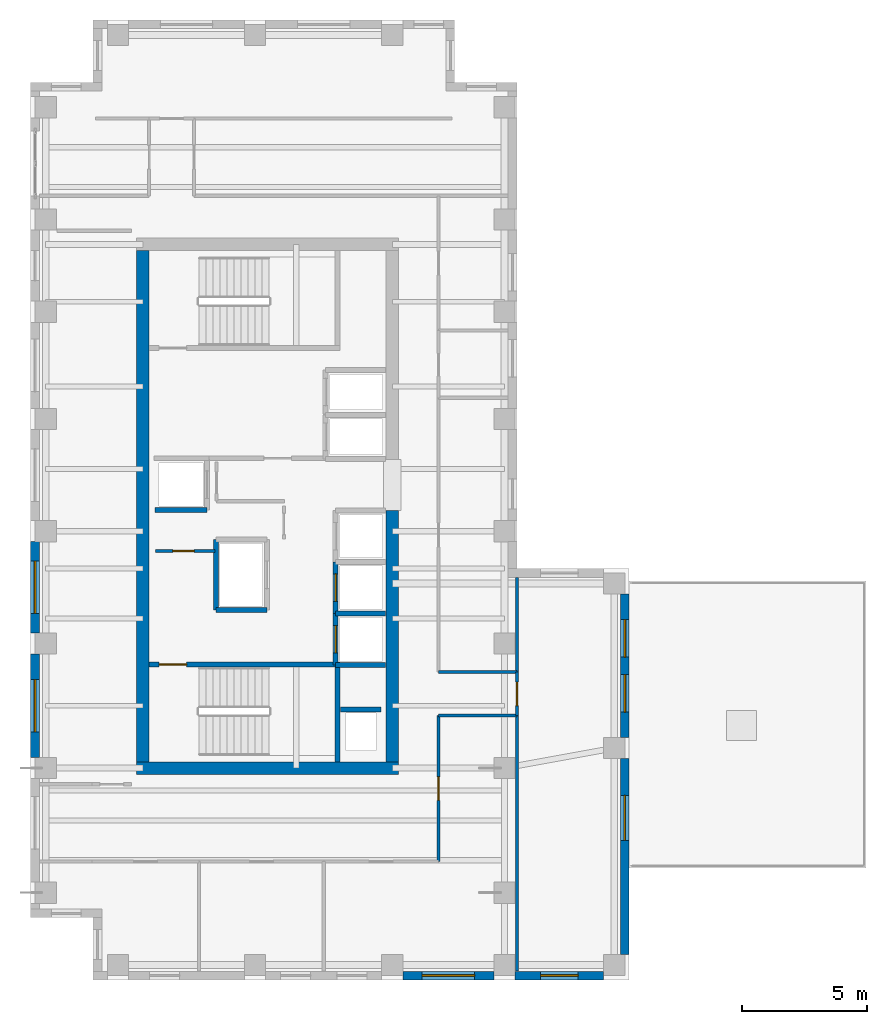
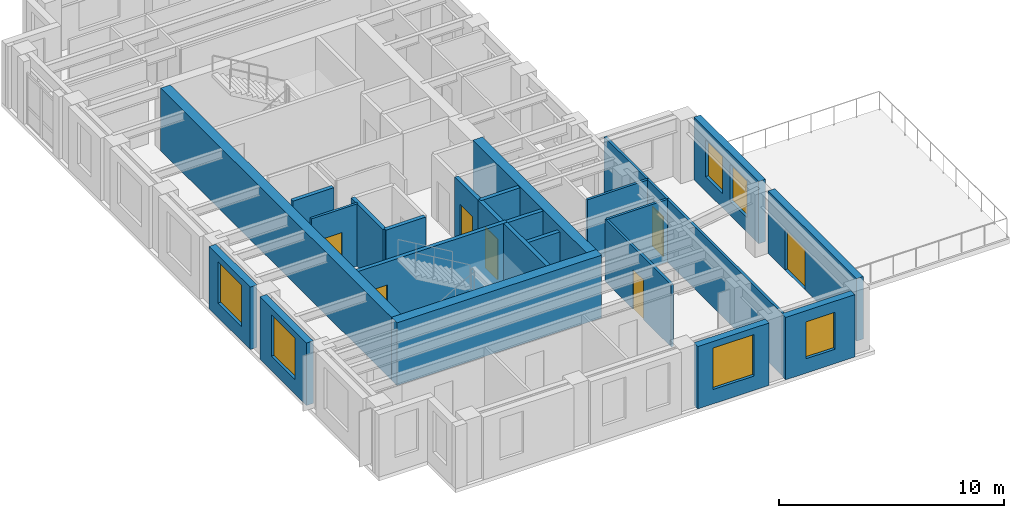
# One storey, part 6 of 11: 26 walls, 7 doors, 6 windows, 13 openings.
"""IFC4 building model written with IfcOpenShell, lengths in metres."""

from ifc_helpers import new_model, si_unit, direction, frame, frame_2d, origin, place, context, subcontext, project, spatial, rectangle, extrude, source, transform, mapped, material, layer, layer_set, type_object, element, fill, save


model = new_model("IFC4")

# Units and contexts
model_context = context("Model", 3, precision=1e-05, world=origin(), true_north=direction((0.0, 1.0)))
body_context = subcontext(model_context, "Body", "Model", "MODEL_VIEW")
ifc_project = project(units=[si_unit("LENGTHUNIT", "METRE"), si_unit("AREAUNIT", "SQUARE_METRE"), si_unit("VOLUMEUNIT", "CUBIC_METRE"), si_unit("PLANEANGLEUNIT", "RADIAN"), si_unit("MASSUNIT", "GRAM", prefix="KILO")], contexts=[model_context])

# Site, building, storey
site_placement = place(None, origin())
site = spatial("IfcSite", under=ifc_project, at=site_placement, CompositionType="ELEMENT")
building_placement = place(site_placement, origin())
building = spatial("IfcBuilding", under=site, at=building_placement, Name="Kharzan Plaza Tower", CompositionType="ELEMENT")
storey_placement = place(building_placement, frame((0.0, 0.0, 262.800048828125)))
storey = spatial("IfcBuildingStorey", under=building, at=storey_placement, Name="L71", CompositionType="ELEMENT", Elevation=262.800048828125)

# Wall, opening, window
ifc_material_1 = material(Name="Concrete C40/50", Category="concrete")
ifc_layer_1 = layer(ifc_material_1, 0.35009765625)
ifc_layer_set_1 = layer_set([ifc_layer_1], Name="Concrete C40/50")
wall_type_1 = type_object("IfcWallType", Name="WL-EXT-MAS-Z4", PredefinedType="SOLIDWALL", material=ifc_layer_set_1)
wall_1_placement = place(storey_placement, frame((0.175048828125, 17.576904296875, 0.0), z_axis=(0.0, 0.0, 1.0), x_axis=(0.0, -1.0, 0.0)))
wall_1 = element("IfcWall", 1, at=wall_1_placement, inside=storey, type_object=wall_type_1, Name="L71 Masonry-Frame Exterior Wall 14", PredefinedType="SOLIDWALL", context=body_context, shape_type="SweptSolid", body=[
    extrude(rectangle(XDim=3.65380859375, YDim=0.35009765625, at=frame_2d((1.826904296875, 0.0))), origin(), (0.0, 0.0, 1.0), 3.385009765625),
])
opening_1_placement = place(wall_1_placement, frame((0.777099609375, 0.0, 0.780029296875)))
opening_1 = element("IfcOpeningElement", 2, at=opening_1_placement, cuts=wall_1, Name="Opening W6", PredefinedType="OPENING", context=body_context, shape_type="SweptSolid", body=[
    extrude(rectangle(XDim=2.10009765625, YDim=2.25, at=frame_2d((1.050048828125, 1.125))), frame((0.0, 0.18505859375, 0.0), z_axis=(0.0, -1.0, 0.0), x_axis=(1.0, 0.0, 0.0)), (0.0, 0.0, 1.0), 0.3701171875),
])
ifc_material_2 = material(Name="Low-E Double Glazing", Category="glass")
window_type_1 = type_object("IfcWindowType", Name="WN-EXEC-2100x2250", PartitioningType="SINGLE_PANEL", PredefinedType="WINDOW", material=ifc_material_2)
shared_shape_1 = source(origin(), body_context, "Body", "SweptSolid", [
    extrude(rectangle(XDim=2.10009765625, YDim=2.25, at=frame_2d((1.050048828125, 1.125))), frame((0.0, 0.030029296875, 0.0), z_axis=(0.0, -1.0, 0.0), x_axis=(1.0, 0.0, 0.0)), (0.0, 0.0, 1.0), 0.06005859375),
])
window_1_placement = place(opening_1_placement, origin())
window_1 = element("IfcWindow", 3, at=window_1_placement, inside=storey, type_object=window_type_1, Name="L71 Recessed Solar-Control Window 14-1", OverallHeight=2.25, OverallWidth=2.10009765625, PartitioningType="SINGLE_PANEL", PredefinedType="WINDOW", context=body_context, shape_type="MappedRepresentation", body=[
    mapped(shared_shape_1, transform((0.0, 0.0, 0.0), x_axis=(1.0, 0.0, 0.0), y_axis=(0.0, 1.0, 0.0), z_axis=(0.0, 0.0, 1.0))),
])
fill(opening_1, window_1)

wall_2_placement = place(storey_placement, frame((0.175048828125, 13.076904296875, 0.0), z_axis=(0.0, 0.0, 1.0), x_axis=(0.0, -1.0, 0.0)))
wall_2 = element("IfcWall", 4, at=wall_2_placement, inside=storey, type_object=wall_type_1, Name="L71 Masonry-Frame Exterior Wall 15", PredefinedType="SOLIDWALL", context=body_context, shape_type="SweptSolid", body=[
    extrude(rectangle(XDim=4.15380859375, YDim=0.35009765625, at=frame_2d((2.076904296875, 0.0))), origin(), (0.0, 0.0, 1.0), 3.385009765625),
])
opening_2_placement = place(wall_2_placement, frame((1.027099609375, 0.0, 0.780029296875)))
opening_2 = element("IfcOpeningElement", 5, at=opening_2_placement, cuts=wall_2, Name="Opening W6", PredefinedType="OPENING", context=body_context, shape_type="SweptSolid", body=[
    extrude(rectangle(XDim=2.10009765625, YDim=2.25, at=frame_2d((1.050048828125, 1.125))), frame((0.0, 0.18505859375, 0.0), z_axis=(0.0, -1.0, 0.0), x_axis=(1.0, 0.0, 0.0)), (0.0, 0.0, 1.0), 0.3701171875),
])
window_2_placement = place(opening_2_placement, origin())
window_2 = element("IfcWindow", 6, at=window_2_placement, inside=storey, type_object=window_type_1, Name="L71 Recessed Solar-Control Window 15-1", OverallHeight=2.25, OverallWidth=2.10009765625, PartitioningType="SINGLE_PANEL", PredefinedType="WINDOW", context=body_context, shape_type="MappedRepresentation", body=[
    mapped(shared_shape_1, transform((0.0, 0.0, 0.0), x_axis=(1.0, 0.0, 0.0), y_axis=(0.0, 1.0, 0.0), z_axis=(0.0, 0.0, 1.0))),
])
fill(opening_2, window_2)

wall_3_placement = place(storey_placement, frame((14.923095703125, 0.175048828125, 0.0), z_axis=(0.0, 0.0, 1.0), x_axis=(1.0, 0.0, 0.0)))
wall_3 = element("IfcWall", 7, at=wall_3_placement, inside=storey, type_object=wall_type_1, Name="L71 Masonry-Frame Exterior Wall 23", PredefinedType="SOLIDWALL", context=body_context, shape_type="SweptSolid", body=[
    extrude(rectangle(XDim=3.65380859375, YDim=0.35009765625, at=frame_2d((1.826904296875, 0.0))), origin(), (0.0, 0.0, 1.0), 3.385009765625),
])
opening_3_placement = place(wall_3_placement, frame((0.777099609375, 0.0, 0.780029296875)))
opening_3 = element("IfcOpeningElement", 8, at=opening_3_placement, cuts=wall_3, Name="Opening W6", PredefinedType="OPENING", context=body_context, shape_type="SweptSolid", body=[
    extrude(rectangle(XDim=2.10009765625, YDim=2.25, at=frame_2d((1.050048828125, 1.125))), frame((0.0, 0.18505859375, 0.0), z_axis=(0.0, -1.0, 0.0), x_axis=(1.0, 0.0, 0.0)), (0.0, 0.0, 1.0), 0.3701171875),
])
window_3_placement = place(opening_3_placement, origin())
window_3 = element("IfcWindow", 9, at=window_3_placement, inside=storey, type_object=window_type_1, Name="L71 Recessed Solar-Control Window 23-1", OverallHeight=2.25, OverallWidth=2.10009765625, PartitioningType="SINGLE_PANEL", PredefinedType="WINDOW", context=body_context, shape_type="MappedRepresentation", body=[
    mapped(shared_shape_1, transform((0.0, 0.0, 0.0), x_axis=(1.0, 0.0, 0.0), y_axis=(0.0, 1.0, 0.0), z_axis=(0.0, 0.0, 1.0))),
])
fill(opening_3, window_3)

wall_4_placement = place(storey_placement, frame((19.423095703125, 0.175048828125, 0.0), z_axis=(0.0, 0.0, 1.0), x_axis=(1.0, 0.0, 0.0)))
wall_4 = element("IfcWall", 10, at=wall_4_placement, inside=storey, type_object=wall_type_1, Name="L71 Masonry-Frame Exterior Wall 24", PredefinedType="SOLIDWALL", context=body_context, shape_type="SweptSolid", body=[
    extrude(rectangle(XDim=3.553955078125, YDim=0.35009765625, at=frame_2d((1.77685546875, 0.0))), origin(), (0.0, 0.0, 1.0), 3.385009765625),
])
opening_4_placement = place(wall_4_placement, frame((1.030517578125, 0.0, 0.780029296875)))
opening_4 = element("IfcOpeningElement", 11, at=opening_4_placement, cuts=wall_4, Name="Opening W5", PredefinedType="OPENING", context=body_context, shape_type="SweptSolid", body=[
    extrude(rectangle(XDim=1.5, YDim=2.0, at=frame_2d((0.75, 1.0))), frame((0.0, 0.18505859375, 0.0), z_axis=(0.0, -1.0, 0.0), x_axis=(1.0, 0.0, 0.0)), (0.0, 0.0, 1.0), 0.3701171875),
])
window_type_2 = type_object("IfcWindowType", Name="WN-SLT-1500x2000", PartitioningType="SINGLE_PANEL", PredefinedType="WINDOW", material=ifc_material_2)
shared_shape_2 = source(origin(), body_context, "Body", "SweptSolid", [
    extrude(rectangle(XDim=1.5, YDim=2.0, at=frame_2d((0.75, 1.0))), frame((0.0, 0.030029296875, 0.0), z_axis=(0.0, -1.0, 0.0), x_axis=(1.0, 0.0, 0.0)), (0.0, 0.0, 1.0), 0.06005859375),
])
window_4_placement = place(opening_4_placement, origin())
window_4 = element("IfcWindow", 12, at=window_4_placement, inside=storey, type_object=window_type_2, Name="L71 Recessed Solar-Control Window 24-1", OverallHeight=2.0, OverallWidth=1.5, PartitioningType="SINGLE_PANEL", PredefinedType="WINDOW", context=body_context, shape_type="MappedRepresentation", body=[
    mapped(shared_shape_2, transform((0.0, 0.0, 0.0), x_axis=(1.0, 0.0, 0.0), y_axis=(0.0, 1.0, 0.0), z_axis=(0.0, 0.0, 1.0))),
])
fill(opening_4, window_4)

# Wall, opening, door
wall_5_placement = place(storey_placement, frame((23.824951171875, 1.02294921875, 0.0), z_axis=(0.0, 0.0, 1.0), x_axis=(0.0, 1.0, 0.0)))
wall_5 = element("IfcWall", 13, at=wall_5_placement, inside=storey, type_object=wall_type_1, Name="L71 Masonry-Frame Exterior Wall 25", PredefinedType="SOLIDWALL", context=body_context, shape_type="SweptSolid", body=[
    extrude(rectangle(XDim=7.85400390625, YDim=0.35009765625, at=frame_2d((3.927001953125, 0.0))), origin(), (0.0, 0.0, 1.0), 3.385009765625),
])
opening_5_placement = place(wall_5_placement, frame((4.576904296875, 0.0, 0.0)))
opening_5 = element("IfcOpeningElement", 14, at=opening_5_placement, cuts=wall_5, Name="Opening ED2", PredefinedType="OPENING", context=body_context, shape_type="SweptSolid", body=[
    extrude(rectangle(XDim=1.800048828125, YDim=2.199951171875, at=frame_2d((0.89990234375, 1.10009765625))), frame((0.0, 0.18505859375, 0.0), z_axis=(0.0, -1.0, 0.0), x_axis=(1.0, 0.0, 0.0)), (0.0, 0.0, 1.0), 0.3701171875),
])
ifc_material_3 = material(Name="Thermally Broken Anodized Bronze Aluminium", Category="aluminium")
door_type_1 = type_object("IfcDoorType", Name="DR-EXT-TERR-1800", OperationType="DOUBLE_DOOR_SINGLE_SWING", PredefinedType="DOOR", material=ifc_material_3)
shared_shape_3 = source(origin(), body_context, "Body", "SweptSolid", [
    extrude(rectangle(XDim=1.800048828125, YDim=2.199951171875, at=frame_2d((0.89990234375, 1.10009765625))), frame((0.0, 0.02490234375, 0.0), z_axis=(0.0, -1.0, 0.0), x_axis=(1.0, 0.0, 0.0)), (0.0, 0.0, 1.0), 0.050048828125),
])
door_1_placement = place(opening_5_placement, frame((1.800048828125, 0.0, 0.0), z_axis=(0.0, 0.0, 1.0), x_axis=(-1.0, 0.0, 0.0)))
door_1 = element("IfcDoor", 15, at=door_1_placement, inside=storey, type_object=door_type_1, Name="L71 Walkable Sky-Terrace Access Door", OperationType="DOUBLE_DOOR_SINGLE_SWING", OverallHeight=2.199951171875, OverallWidth=1.800048828125, PredefinedType="DOOR", context=body_context, shape_type="MappedRepresentation", body=[
    mapped(shared_shape_3, transform((0.0, 0.0, 0.0), x_axis=(1.0, 0.0, 0.0), y_axis=(0.0, 1.0, 0.0), z_axis=(0.0, 0.0, 1.0))),
])
fill(opening_5, door_1)

# Wall, openings, windows
wall_6_placement = place(storey_placement, frame((23.824951171875, 9.722900390625, 0.0), z_axis=(0.0, 0.0, 1.0), x_axis=(0.0, 1.0, 0.0)))
wall_6 = element("IfcWall", 16, at=wall_6_placement, inside=storey, type_object=wall_type_1, Name="L71 Masonry-Frame Exterior Wall 26", PredefinedType="SOLIDWALL", context=body_context, shape_type="SweptSolid", body=[
    extrude(rectangle(XDim=5.754150390625, YDim=0.35009765625, at=frame_2d((2.876953125, 0.0))), origin(), (0.0, 0.0, 1.0), 3.385009765625),
])
opening_6_placement = place(wall_6_placement, frame((1.024658203125, 0.0, 0.780029296875)))
opening_6 = element("IfcOpeningElement", 17, at=opening_6_placement, cuts=wall_6, Name="Opening W5", PredefinedType="OPENING", context=body_context, shape_type="SweptSolid", body=[
    extrude(rectangle(XDim=1.5, YDim=2.0, at=frame_2d((0.75, 1.0))), frame((0.0, 0.18505859375, 0.0), z_axis=(0.0, -1.0, 0.0), x_axis=(1.0, 0.0, 0.0)), (0.0, 0.0, 1.0), 0.3701171875),
])
opening_7_placement = place(wall_6_placement, frame((3.229248046875, 0.0, 0.780029296875)))
opening_7 = element("IfcOpeningElement", 18, at=opening_7_placement, cuts=wall_6, Name="Opening W5", PredefinedType="OPENING", context=body_context, shape_type="SweptSolid", body=[
    extrude(rectangle(XDim=1.5, YDim=2.0, at=frame_2d((0.75, 1.0))), frame((0.0, 0.18505859375, 0.0), z_axis=(0.0, -1.0, 0.0), x_axis=(1.0, 0.0, 0.0)), (0.0, 0.0, 1.0), 0.3701171875),
])
window_5_placement = place(opening_6_placement, origin())
window_5 = element("IfcWindow", 19, at=window_5_placement, inside=storey, type_object=window_type_2, Name="L71 Recessed Solar-Control Window 26-1", OverallHeight=2.0, OverallWidth=1.5, PartitioningType="SINGLE_PANEL", PredefinedType="WINDOW", context=body_context, shape_type="MappedRepresentation", body=[
    mapped(shared_shape_2, transform((0.0, 0.0, 0.0), x_axis=(1.0, 0.0, 0.0), y_axis=(0.0, 1.0, 0.0), z_axis=(0.0, 0.0, 1.0))),
])
fill(opening_6, window_5)
window_6_placement = place(opening_7_placement, origin())
window_6 = element("IfcWindow", 20, at=window_6_placement, inside=storey, type_object=window_type_2, Name="L71 Recessed Solar-Control Window 26-2", OverallHeight=2.0, OverallWidth=1.5, PartitioningType="SINGLE_PANEL", PredefinedType="WINDOW", context=body_context, shape_type="MappedRepresentation", body=[
    mapped(shared_shape_2, transform((0.0, 0.0, 0.0), x_axis=(1.0, 0.0, 0.0), y_axis=(0.0, 1.0, 0.0), z_axis=(0.0, 0.0, 1.0))),
])
fill(opening_7, window_6)

# Wall, opening, door
ifc_material_4 = material(Name="Fire-Rated Gypsum Board Partition", Category="gypsum")
ifc_layer_2 = layer(ifc_material_4, 0.125)
ifc_layer_set_2 = layer_set([ifc_layer_2], Name="Fire-Rated Gypsum Board Partition")
wall_type_2 = type_object("IfcWallType", Name="WL-INT-PART-125", PredefinedType="PARTITIONING", material=ifc_layer_set_2)
wall_7_placement = place(storey_placement, frame((5.0, 17.199951171875, 0.0), z_axis=(0.0, 0.0, 1.0), x_axis=(1.0, 0.0, 0.0)))
wall_7 = element("IfcWall", 21, at=wall_7_placement, inside=storey, type_object=wall_type_2, Name="L71 Interior Partition CA-K2N0", PredefinedType="PARTITIONING", context=body_context, shape_type="SweptSolid", body=[
    extrude(rectangle(XDim=2.39990234375, YDim=0.125, at=frame_2d((1.199951171875, 0.0))), origin(), (0.0, 0.0, 1.0), 3.385009765625),
])
opening_8_placement = place(wall_7_placement, frame((0.699951171875, 0.0, 0.0)))
opening_8 = element("IfcOpeningElement", 22, at=opening_8_placement, cuts=wall_7, Name="Opening RD1", PredefinedType="OPENING", context=body_context, shape_type="SweptSolid", body=[
    extrude(rectangle(XDim=0.85009765625, YDim=2.10009765625, at=frame_2d((0.425048828125, 1.050048828125))), frame((0.0, 0.072509765625, 0.0), z_axis=(0.0, -1.0, 0.0), x_axis=(1.0, 0.0, 0.0)), (0.0, 0.0, 1.0), 0.14501953125),
])
ifc_material_5 = material(Name="Powder-Coated Fire-Rated Steel", Category="steel")
door_type_2 = type_object("IfcDoorType", Name="DR-RISER-900", OperationType="NOTDEFINED", PredefinedType="DOOR", material=ifc_material_5)
shared_shape_4 = source(origin(), body_context, "Body", "SweptSolid", [
    extrude(rectangle(XDim=0.85009765625, YDim=2.10009765625, at=frame_2d((0.425048828125, 1.050048828125))), frame((0.0, 0.02490234375, 0.0), z_axis=(0.0, -1.0, 0.0), x_axis=(1.0, 0.0, 0.0)), (0.0, 0.0, 1.0), 0.050048828125),
])
door_2_placement = place(opening_8_placement, origin())
door_2 = element("IfcDoor", 23, at=door_2_placement, inside=storey, type_object=door_type_2, Name="L71 Core Electrical Store Door", OperationType="SINGLE_SWING_RIGHT", OverallHeight=2.10009765625, OverallWidth=0.85009765625, PredefinedType="DOOR", context=body_context, shape_type="MappedRepresentation", body=[
    mapped(shared_shape_4, transform((0.0, 0.0, 0.0), x_axis=(1.0, 0.0, 0.0), y_axis=(0.0, 1.0, 0.0), z_axis=(0.0, 0.0, 1.0))),
])
fill(opening_8, door_2)

wall_8_placement = place(storey_placement, frame((16.35009765625, 4.75, 0.0), z_axis=(0.0, 0.0, 1.0), x_axis=(0.0, 1.0, 0.0)))
wall_8 = element("IfcWall", 24, at=wall_8_placement, inside=storey, type_object=wall_type_2, Name="L71 Interior Partition SH-AEW1", PredefinedType="PARTITIONING", context=body_context, shape_type="SweptSolid", body=[
    extrude(rectangle(XDim=5.85009765625, YDim=0.125, at=frame_2d((2.925048828125, 0.0))), origin(), (0.0, 0.0, 1.0), 3.385009765625),
])
opening_9_placement = place(wall_8_placement, frame((2.449951171875, 0.0, 0.0)))
opening_9 = element("IfcOpeningElement", 25, at=opening_9_placement, cuts=wall_8, Name="Opening OD1", PredefinedType="OPENING", context=body_context, shape_type="SweptSolid", body=[
    extrude(rectangle(XDim=0.949951171875, YDim=2.14990234375, at=frame_2d((0.47509765625, 1.074951171875))), frame((0.0, 0.072509765625, 0.0), z_axis=(0.0, -1.0, 0.0), x_axis=(1.0, 0.0, 0.0)), (0.0, 0.0, 1.0), 0.14501953125),
])
ifc_material_6 = material(Name="Acoustic Solid-Core Stained Oak", Category="timber")
door_type_3 = type_object("IfcDoorType", Name="DR-OFF-SINGLE", OperationType="NOTDEFINED", PredefinedType="DOOR", material=ifc_material_6)
shared_shape_5 = source(origin(), body_context, "Body", "SweptSolid", [
    extrude(rectangle(XDim=0.949951171875, YDim=2.14990234375, at=frame_2d((0.47509765625, 1.074951171875))), frame((0.0, 0.02490234375, 0.0), z_axis=(0.0, -1.0, 0.0), x_axis=(1.0, 0.0, 0.0)), (0.0, 0.0, 1.0), 0.050048828125),
])
door_3_placement = place(opening_9_placement, origin())
door_3 = element("IfcDoor", 26, at=door_3_placement, inside=storey, type_object=door_type_3, Name="L71 South Slot Office Door", OperationType="SINGLE_SWING_LEFT", OverallHeight=2.14990234375, OverallWidth=0.949951171875, PredefinedType="DOOR", context=body_context, shape_type="MappedRepresentation", body=[
    mapped(shared_shape_5, transform((0.0, 0.0, 0.0), x_axis=(1.0, 0.0, 0.0), y_axis=(0.0, 1.0, 0.0), z_axis=(0.0, 0.0, 1.0))),
])
fill(opening_9, door_3)

wall_9_placement = place(storey_placement, frame((19.5, 10.60009765625, 0.0), z_axis=(0.0, 0.0, 1.0), x_axis=(0.0, 1.0, 0.0)))
wall_9 = element("IfcWall", 27, at=wall_9_placement, inside=storey, type_object=wall_type_2, Name="L71 Interior Partition SH-SHD1", PredefinedType="PARTITIONING", context=body_context, shape_type="SweptSolid", body=[
    extrude(rectangle(XDim=1.75, YDim=0.125, at=frame_2d((0.875, 0.0))), origin(), (0.0, 0.0, 1.0), 3.385009765625),
])
opening_10_placement = place(wall_9_placement, frame((0.39990234375, 0.0, 0.0)))
opening_10 = element("IfcOpeningElement", 28, at=opening_10_placement, cuts=wall_9, Name="Opening OD1", PredefinedType="OPENING", context=body_context, shape_type="SweptSolid", body=[
    extrude(rectangle(XDim=0.949951171875, YDim=2.14990234375, at=frame_2d((0.47509765625, 1.074951171875))), frame((0.0, 0.072509765625, 0.0), z_axis=(0.0, -1.0, 0.0), x_axis=(1.0, 0.0, 0.0)), (0.0, 0.0, 1.0), 0.14501953125),
])
door_4_placement = place(opening_10_placement, origin())
door_4 = element("IfcDoor", 29, at=door_4_placement, inside=storey, type_object=door_type_3, Name="L71 Shoulder Conference Door", OperationType="SINGLE_SWING_RIGHT", OverallHeight=2.14990234375, OverallWidth=0.949951171875, PredefinedType="DOOR", context=body_context, shape_type="MappedRepresentation", body=[
    mapped(shared_shape_5, transform((0.0, 0.0, 0.0), x_axis=(1.0, 0.0, 0.0), y_axis=(0.0, 1.0, 0.0), z_axis=(0.0, 0.0, 1.0))),
])
fill(opening_10, door_4)

ifc_layer_3 = layer(ifc_material_1, 0.199951171875)
ifc_layer_set_3 = layer_set([ifc_layer_3], Name="Concrete C40/50")
wall_type_3 = type_object("IfcWallType", Name="WL-INT-SHAFT-200", PredefinedType="PARTITIONING", material=ifc_layer_set_3)
wall_10_placement = place(storey_placement, frame((12.22998046875, 12.6298828125, 0.0), z_axis=(0.0, 0.0, 1.0), x_axis=(0.0, 1.0, 0.0)))
wall_10 = element("IfcWall", 30, at=wall_10_placement, inside=storey, type_object=wall_type_3, Name="L71 Interior Partition SHF-PL-H1-W", PredefinedType="PARTITIONING", context=body_context, shape_type="SweptSolid", body=[
    extrude(rectangle(XDim=2.070068359375, YDim=0.199951171875, at=frame_2d((1.03515625, 0.0))), origin(), (0.0, 0.0, 1.0), 3.385009765625),
])
opening_11_placement = place(wall_10_placement, frame((0.485107421875, 0.0, 0.0)))
opening_11 = element("IfcOpeningElement", 31, at=opening_11_placement, cuts=wall_10, Name="Opening LD", PredefinedType="OPENING", context=body_context, shape_type="SweptSolid", body=[
    extrude(rectangle(XDim=1.10009765625, YDim=2.199951171875, at=frame_2d((0.550048828125, 1.10009765625))), frame((0.0, 0.10986328125, 0.0), z_axis=(0.0, -1.0, 0.0), x_axis=(1.0, 0.0, 0.0)), (0.0, 0.0, 1.0), 0.219970703125),
])
ifc_material_7 = material(Name="Brushed Stainless Steel", Category="steel")
door_type_4 = type_object("IfcDoorType", Name="DR-LIFT-SLIDE", OperationType="SLIDING_TO_LEFT", PredefinedType="DOOR", material=ifc_material_7)
shared_shape_6 = source(origin(), body_context, "Body", "SweptSolid", [
    extrude(rectangle(XDim=1.10009765625, YDim=2.199951171875, at=frame_2d((0.550048828125, 1.10009765625))), frame((0.0, 0.02490234375, 0.0), z_axis=(0.0, -1.0, 0.0), x_axis=(1.0, 0.0, 0.0)), (0.0, 0.0, 1.0), 0.050048828125),
])
door_5_placement = place(opening_11_placement, origin())
door_5 = element("IfcDoor", 32, at=door_5_placement, inside=storey, type_object=door_type_4, Name="L71 High-Rise Passenger Lift PL-H1 Sliding Landing Door", OperationType="SLIDING_TO_LEFT", OverallHeight=2.199951171875, OverallWidth=1.10009765625, PredefinedType="DOOR", context=body_context, shape_type="MappedRepresentation", body=[
    mapped(shared_shape_6, transform((0.0, 0.0, 0.0), x_axis=(1.0, 0.0, 0.0), y_axis=(0.0, 1.0, 0.0), z_axis=(0.0, 0.0, 1.0))),
])
fill(opening_11, door_5)

wall_11_placement = place(storey_placement, frame((12.22998046875, 14.699951171875, 0.0), z_axis=(0.0, 0.0, 1.0), x_axis=(0.0, 1.0, 0.0)))
wall_11 = element("IfcWall", 33, at=wall_11_placement, inside=storey, type_object=wall_type_3, Name="L71 Interior Partition SHF-PL-H2-W", PredefinedType="PARTITIONING", context=body_context, shape_type="SweptSolid", body=[
    extrude(rectangle(XDim=2.070068359375, YDim=0.199951171875, at=frame_2d((1.03515625, 0.0))), origin(), (0.0, 0.0, 1.0), 3.385009765625),
])
opening_12_placement = place(wall_11_placement, frame((0.485107421875, 0.0, 0.0)))
opening_12 = element("IfcOpeningElement", 34, at=opening_12_placement, cuts=wall_11, Name="Opening LD", PredefinedType="OPENING", context=body_context, shape_type="SweptSolid", body=[
    extrude(rectangle(XDim=1.10009765625, YDim=2.199951171875, at=frame_2d((0.550048828125, 1.10009765625))), frame((0.0, 0.10986328125, 0.0), z_axis=(0.0, -1.0, 0.0), x_axis=(1.0, 0.0, 0.0)), (0.0, 0.0, 1.0), 0.219970703125),
])
door_6_placement = place(opening_12_placement, origin())
door_6 = element("IfcDoor", 35, at=door_6_placement, inside=storey, type_object=door_type_4, Name="L71 High-Rise Passenger Lift PL-H2 Sliding Landing Door", OperationType="SLIDING_TO_LEFT", OverallHeight=2.199951171875, OverallWidth=1.10009765625, PredefinedType="DOOR", context=body_context, shape_type="MappedRepresentation", body=[
    mapped(shared_shape_6, transform((0.0, 0.0, 0.0), x_axis=(1.0, 0.0, 0.0), y_axis=(0.0, 1.0, 0.0), z_axis=(0.0, 0.0, 1.0))),
])
fill(opening_12, door_6)

ifc_material_8 = material(Name="Concrete C50/60", Category="concrete")
ifc_layer_4 = layer(ifc_material_8, 0.199951171875)
ifc_layer_set_4 = layer_set([ifc_layer_4], Name="Concrete C50/60")
wall_type_4 = type_object("IfcWallType", Name="WL-SHAFT-RC200", PredefinedType="SHEAR", material=ifc_layer_set_4)
wall_12_placement = place(storey_placement, frame((4.751953125, 12.655029296875, 0.0), z_axis=(0.0, 0.0, 1.0), x_axis=(1.0, 0.0, 0.0)))
wall_12 = element("IfcWall", 36, at=wall_12_placement, inside=storey, type_object=wall_type_4, Name="L71 Stair ST-1 North RC Shaft Wall", PredefinedType="SHEAR", context=body_context, shape_type="SweptSolid", body=[
    extrude(rectangle(XDim=7.653076171875, YDim=0.199951171875, at=frame_2d((3.82666015625, 0.0))), origin(), (0.0, 0.0, 1.0), 3.39990234375),
])
opening_13_placement = place(wall_12_placement, frame((0.39990234375, 0.0, 0.0)))
opening_13 = element("IfcOpeningElement", 37, at=opening_13_placement, cuts=wall_12, Name="Opening SD1", PredefinedType="OPENING", context=body_context, shape_type="SweptSolid", body=[
    extrude(rectangle(XDim=1.10009765625, YDim=2.14990234375, at=frame_2d((0.550048828125, 1.074951171875))), frame((0.0, 0.10986328125, 0.0), z_axis=(0.0, -1.0, 0.0), x_axis=(1.0, 0.0, 0.0)), (0.0, 0.0, 1.0), 0.219970703125),
])
ifc_material_9 = material(Name="Fire-Rated Hollow Galvanized Steel", Category="steel")
door_type_5 = type_object("IfcDoorType", Name="DR-STAIR-FD120", OperationType="NOTDEFINED", PredefinedType="DOOR", material=ifc_material_9)
shared_shape_7 = source(origin(), body_context, "Body", "SweptSolid", [
    extrude(rectangle(XDim=1.10009765625, YDim=2.14990234375, at=frame_2d((0.550048828125, 1.074951171875))), frame((0.0, 0.02490234375, 0.0), z_axis=(0.0, -1.0, 0.0), x_axis=(1.0, 0.0, 0.0)), (0.0, 0.0, 1.0), 0.050048828125),
])
door_7_placement = place(opening_13_placement, origin())
door_7 = element("IfcDoor", 38, at=door_7_placement, inside=storey, type_object=door_type_5, Name="L71 Stair ST-1 Fire Exit Door", OperationType="SINGLE_SWING_LEFT", OverallHeight=2.14990234375, OverallWidth=1.10009765625, PredefinedType="DOOR", context=body_context, shape_type="MappedRepresentation", body=[
    mapped(shared_shape_7, transform((0.0, 0.0, 0.0), x_axis=(1.0, 0.0, 0.0), y_axis=(0.0, 1.0, 0.0), z_axis=(0.0, 0.0, 1.0))),
])
fill(opening_13, door_7)

# Walls
shared_shape_8 = source(origin(), body_context, "Body", "SweptSolid", [
    extrude(rectangle(XDim=1.630126953125, YDim=0.199951171875, at=frame_2d((0.81494140625, 0.0))), origin(), (0.0, 0.0, 1.0), 3.385009765625),
])
wall_13_placement = place(storey_placement, frame((12.419921875, 10.85009765625, 0.0), z_axis=(0.0, 0.0, 1.0), x_axis=(1.0, 0.0, 0.0)))
element("IfcWall", 39, at=wall_13_placement, inside=storey, type_object=wall_type_3, Name="L71 Interior Partition CA-RSRA-N", PredefinedType="PARTITIONING", context=body_context, shape_type="MappedRepresentation", body=[
    mapped(shared_shape_8, transform((0.0, 0.0, 0.0), x_axis=(1.0, 0.0, 0.0), y_axis=(0.0, 1.0, 0.0), z_axis=(0.0, 0.0, 1.0))),
])
shared_shape_9 = source(origin(), body_context, "Body", "SweptSolid", [
    extrude(rectangle(XDim=2.090087890625, YDim=0.199951171875, at=frame_2d((1.044921875, 0.0))), origin(), (0.0, 0.0, 1.0), 3.385009765625),
])
wall_14_placement = place(storey_placement, frame((4.97998046875, 18.840087890625, 0.0), z_axis=(0.0, 0.0, 1.0), x_axis=(1.0, 0.0, 0.0)))
element("IfcWall", 40, at=wall_14_placement, inside=storey, type_object=wall_type_3, Name="L71 Interior Partition SHF-PL-H4-S", PredefinedType="PARTITIONING", context=body_context, shape_type="MappedRepresentation", body=[
    mapped(shared_shape_9, transform((0.0, 0.0, 0.0), x_axis=(1.0, 0.0, 0.0), y_axis=(0.0, 1.0, 0.0), z_axis=(0.0, 0.0, 1.0))),
])
shared_shape_10 = source(origin(), body_context, "Body", "SweptSolid", [
    extrude(rectangle(XDim=2.0400390625, YDim=0.199951171875, at=frame_2d((1.02001953125, 0.0))), origin(), (0.0, 0.0, 1.0), 3.385009765625),
])
wall_15_placement = place(storey_placement, frame((7.429931640625, 14.830078125, 0.0), z_axis=(0.0, 0.0, 1.0), x_axis=(1.0, 0.0, 0.0)))
element("IfcWall", 41, at=wall_15_placement, inside=storey, type_object=wall_type_3, Name="L71 Interior Partition SHF-SVL-1-S", PredefinedType="PARTITIONING", context=body_context, shape_type="MappedRepresentation", body=[
    mapped(shared_shape_10, transform((0.0, 0.0, 0.0), x_axis=(1.0, 0.0, 0.0), y_axis=(0.0, 1.0, 0.0), z_axis=(0.0, 0.0, 1.0))),
])
shared_shape_11 = source(origin(), body_context, "Body", "SweptSolid", [
    extrude(rectangle(XDim=2.83984375, YDim=0.199951171875, at=frame_2d((1.419921875, 0.0))), origin(), (0.0, 0.0, 1.0), 3.385009765625),
])
wall_16_placement = place(storey_placement, frame((7.429931640625, 14.830078125, 0.0), z_axis=(0.0, 0.0, 1.0), x_axis=(0.0, 1.0, 0.0)))
element("IfcWall", 42, at=wall_16_placement, inside=storey, type_object=wall_type_3, Name="L71 Interior Partition SHF-SVL-1-W", PredefinedType="PARTITIONING", context=body_context, shape_type="MappedRepresentation", body=[
    mapped(shared_shape_11, transform((0.0, 0.0, 0.0), x_axis=(1.0, 0.0, 0.0), y_axis=(0.0, 1.0, 0.0), z_axis=(0.0, 0.0, 1.0))),
])
shared_shape_12 = source(origin(), body_context, "Body", "SweptSolid", [
    extrude(rectangle(XDim=1.989990234375, YDim=0.199951171875, at=frame_2d((0.9951171875, 0.0))), origin(), (0.0, 0.0, 1.0), 3.385009765625),
])
for number, where, z_axis, x_axis, name in (
    (43, (12.22998046875, 14.699951171875, 0.0), (0.0, 0.0, 1.0), (1.0, 0.0, 0.0), "L71 Interior Partition SHF-PL-H1-N"),
    (44, (12.22998046875, 12.6298828125, 0.0), (0.0, 0.0, 1.0), (1.0, 0.0, 0.0), "L71 Interior Partition SHF-PL-H1-S"),
):
    element("IfcWall", number, at=place(storey_placement, frame(where, z_axis=z_axis, x_axis=x_axis)), inside=storey, type_object=wall_type_3, Name=name, PredefinedType="PARTITIONING", context=body_context, shape_type="MappedRepresentation", body=[
        mapped(shared_shape_12, transform((0.0, 0.0, 0.0), x_axis=(1.0, 0.0, 0.0), y_axis=(0.0, 1.0, 0.0), z_axis=(0.0, 0.0, 1.0))),
    ])
ifc_layer_5 = layer(ifc_material_8, 0.5)
ifc_layer_set_5 = layer_set([ifc_layer_5], Name="Concrete C50/60")
wall_type_5 = type_object("IfcWallType", Name="WL-CORE-500", PredefinedType="SHEAR", material=ifc_layer_set_5)
shared_shape_13 = source(origin(), body_context, "Body", "SweptSolid", [
    extrude(rectangle(XDim=10.070068359375, YDim=0.5, at=frame_2d((5.03515625, 0.0))), origin(), (0.0, 0.0, 1.0), 3.39990234375),
])
wall_17_placement = place(storey_placement, frame((14.5, 8.75, 0.0), z_axis=(0.0, 0.0, 1.0), x_axis=(0.0, 1.0, 0.0)))
element("IfcWall", 45, at=wall_17_placement, inside=storey, type_object=wall_type_5, Name="L71 CORE-A east shear pier 1", PredefinedType="SHEAR", context=body_context, shape_type="MappedRepresentation", body=[
    mapped(shared_shape_13, transform((0.0, 0.0, 0.0), x_axis=(1.0, 0.0, 0.0), y_axis=(0.0, 1.0, 0.0), z_axis=(0.0, 0.0, 1.0))),
])
shared_shape_14 = source(origin(), body_context, "Body", "SweptSolid", [
    extrude(rectangle(XDim=10.5, YDim=0.5, at=frame_2d((5.25, 0.0))), origin(), (0.0, 0.0, 1.0), 3.39990234375),
])
wall_18_placement = place(storey_placement, frame((4.25, 8.5, 0.0), z_axis=(0.0, 0.0, 1.0), x_axis=(1.0, 0.0, 0.0)))
element("IfcWall", 46, at=wall_18_placement, inside=storey, type_object=wall_type_5, Name="L71 CORE-A south RC shear wall", PredefinedType="SHEAR", context=body_context, shape_type="MappedRepresentation", body=[
    mapped(shared_shape_14, transform((0.0, 0.0, 0.0), x_axis=(1.0, 0.0, 0.0), y_axis=(0.0, 1.0, 0.0), z_axis=(0.0, 0.0, 1.0))),
])
shared_shape_15 = source(origin(), body_context, "Body", "SweptSolid", [
    extrude(rectangle(XDim=20.5, YDim=0.5, at=frame_2d((10.25, 0.0))), origin(), (0.0, 0.0, 1.0), 3.39990234375),
])
wall_19_placement = place(storey_placement, frame((4.5, 8.75, 0.0), z_axis=(0.0, 0.0, 1.0), x_axis=(0.0, 1.0, 0.0)))
element("IfcWall", 47, at=wall_19_placement, inside=storey, type_object=wall_type_5, Name="L71 CORE-A west RC shear wall", PredefinedType="SHEAR", context=body_context, shape_type="MappedRepresentation", body=[
    mapped(shared_shape_15, transform((0.0, 0.0, 0.0), x_axis=(1.0, 0.0, 0.0), y_axis=(0.0, 1.0, 0.0), z_axis=(0.0, 0.0, 1.0))),
])
shared_shape_16 = source(origin(), body_context, "Body", "SweptSolid", [
    extrude(rectangle(XDim=3.802978515625, YDim=0.199951171875, at=frame_2d((1.9013671875, 0.0))), origin(), (0.0, 0.0, 1.0), 3.39990234375),
])
wall_20_placement = place(storey_placement, frame((12.304931640625, 8.751953125, 0.0), z_axis=(0.0, 0.0, 1.0), x_axis=(0.0, 1.0, 0.0)))
element("IfcWall", 48, at=wall_20_placement, inside=storey, type_object=wall_type_4, Name="L71 Stair ST-1 East RC Shaft Wall", PredefinedType="SHEAR", context=body_context, shape_type="MappedRepresentation", body=[
    mapped(shared_shape_16, transform((0.0, 0.0, 0.0), x_axis=(1.0, 0.0, 0.0), y_axis=(0.0, 1.0, 0.0), z_axis=(0.0, 0.0, 1.0))),
])
shared_shape_17 = source(origin(), body_context, "Body", "SweptSolid", [
    extrude(rectangle(XDim=3.7978515625, YDim=0.125, at=frame_2d((1.89892578125, 0.0))), origin(), (0.0, 0.0, 1.0), 3.385009765625),
])
wall_21_placement = place(storey_placement, frame((19.5, 12.35009765625, 0.0), z_axis=(0.0, 0.0, 1.0), x_axis=(0.0, 1.0, 0.0)))
element("IfcWall", 49, at=wall_21_placement, inside=storey, type_object=wall_type_2, Name="L71 Interior Partition SH-SHW2", PredefinedType="PARTITIONING", context=body_context, shape_type="MappedRepresentation", body=[
    mapped(shared_shape_17, transform((0.0, 0.0, 0.0), x_axis=(1.0, 0.0, 0.0), y_axis=(0.0, 1.0, 0.0), z_axis=(0.0, 0.0, 1.0))),
])
shared_shape_18 = source(origin(), body_context, "Body", "SweptSolid", [
    extrude(rectangle(XDim=10.248046875, YDim=0.125, at=frame_2d((5.1240234375, 0.0))), origin(), (0.0, 0.0, 1.0), 3.385009765625),
])
wall_22_placement = place(storey_placement, frame((19.5, 0.35205078125, 0.0), z_axis=(0.0, 0.0, 1.0), x_axis=(0.0, 1.0, 0.0)))
element("IfcWall", 50, at=wall_22_placement, inside=storey, type_object=wall_type_2, Name="L71 Interior Partition SH-SHW1", PredefinedType="PARTITIONING", context=body_context, shape_type="MappedRepresentation", body=[
    mapped(shared_shape_18, transform((0.0, 0.0, 0.0), x_axis=(1.0, 0.0, 0.0), y_axis=(0.0, 1.0, 0.0), z_axis=(0.0, 0.0, 1.0))),
])
shared_shape_19 = source(origin(), body_context, "Body", "SweptSolid", [
    extrude(rectangle(XDim=3.14990234375, YDim=0.125, at=frame_2d((1.574951171875, 0.0))), origin(), (0.0, 0.0, 1.0), 3.385009765625),
])
for number, where, z_axis, x_axis, name in (
    (51, (16.35009765625, 12.35009765625, 0.0), (0.0, 0.0, 1.0), (1.0, 0.0, 0.0), "L71 Interior Partition SH-AEN0"),
    (52, (16.35009765625, 10.60009765625, 0.0), (0.0, 0.0, 1.0), (1.0, 0.0, 0.0), "L71 Interior Partition SH-AES0"),
):
    element("IfcWall", number, at=place(storey_placement, frame(where, z_axis=z_axis, x_axis=x_axis)), inside=storey, type_object=wall_type_2, Name=name, PredefinedType="PARTITIONING", context=body_context, shape_type="MappedRepresentation", body=[
        mapped(shared_shape_19, transform((0.0, 0.0, 0.0), x_axis=(1.0, 0.0, 0.0), y_axis=(0.0, 1.0, 0.0), z_axis=(0.0, 0.0, 1.0))),
    ])

save(model, "model.ifc")
